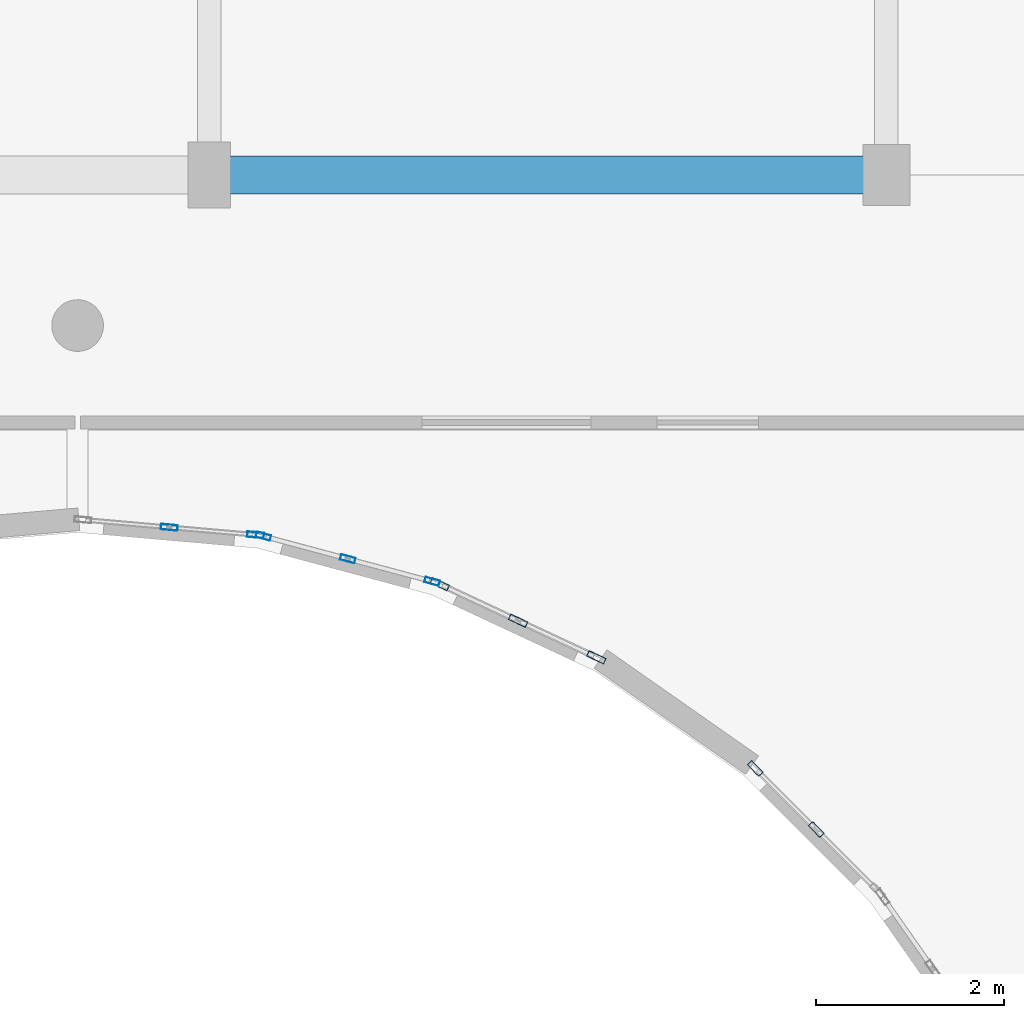
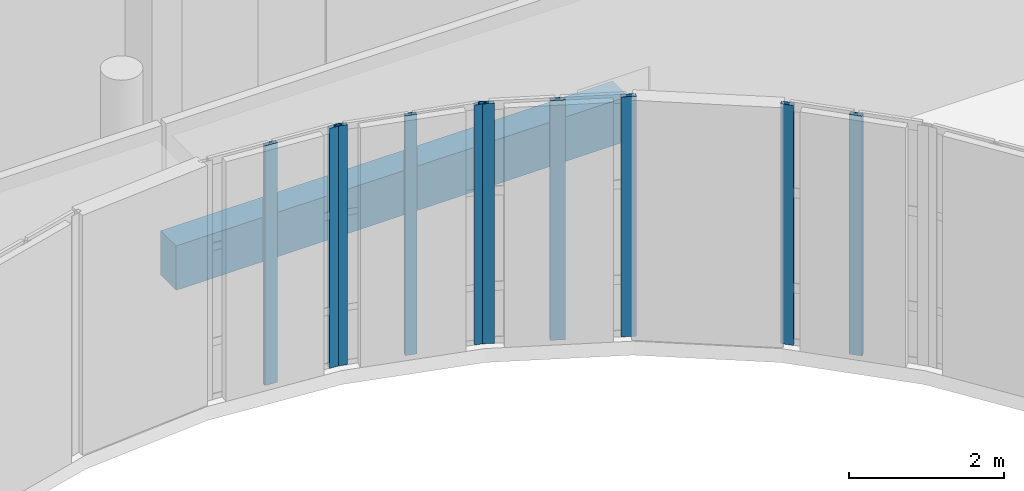
# One storey, part 44 of 105: 10 members, 1 beam, 4 elements without a shape of their own.
"""IFC4 building model written with IfcOpenShell, lengths in metres."""

from ifc_helpers import new_model, si_unit, direction, frame, origin, origin_2d, place, context, subcontext, project, spatial, rectangle, hollow_rectangle, extrude, material, layer, layer_set, material_profile, profile_set, type_object, element, aggregate, save


model = new_model("IFC4")

# Units and contexts
model_context = context("Model", 3, precision=1e-05, world=origin(), true_north=direction((0.0, 1.0)))
body_context = subcontext(model_context, "Body", "Model", "MODEL_VIEW")
ifc_project = project(units=[si_unit("LENGTHUNIT", "METRE"), si_unit("AREAUNIT", "SQUARE_METRE"), si_unit("VOLUMEUNIT", "CUBIC_METRE"), si_unit("PLANEANGLEUNIT", "RADIAN"), si_unit("MASSUNIT", "GRAM", prefix="KILO")], contexts=[model_context])

# Site, building, storey
site_placement = place(None, origin())
site = spatial("IfcSite", under=ifc_project, at=site_placement, CompositionType="ELEMENT")
building_placement = place(site_placement, origin())
building = spatial("IfcBuilding", under=site, at=building_placement, Name="Kelanivale Promenade Academy", CompositionType="ELEMENT")
storey_placement = place(building_placement, frame((0.0, 0.0, 4.199951171875)))
storey = spatial("IfcBuildingStorey", under=building, at=storey_placement, Name="L01", CompositionType="ELEMENT", Elevation=4.199951171875)

# Beam
ifc_material_1 = material(Name="Concrete C35/45", Category="concrete")
ifc_material_profile_1 = material_profile(ifc_material_1, rectangle(XDim=0.39990234375, YDim=0.699951171875, at=origin_2d()), Name="RC-BM 400x700")
ifc_profile_set_1 = profile_set([ifc_material_profile_1], Name="Concrete C35/45")
beam_type = type_object("IfcBeamType", Name="BM-02 RC-BM 400x700", PredefinedType="BEAM", material=ifc_profile_set_1)
beam_placement = place(storey_placement, frame((65.02001953125, 71.60009765625, -0.570068359375), z_axis=(1.0, 0.0, 0.0), x_axis=(0.0, 1.0, 0.0)))
element("IfcBeam", 1, at=beam_placement, inside=storey, type_object=beam_type, Name="L01 girder BM-02", PredefinedType="BEAM", context=body_context, shape_type="SweptSolid", body=[
    extrude(rectangle(XDim=0.39990234375, YDim=0.699951171875, at=origin_2d()), origin(), (0.0, 0.0, 1.0), 6.73486328125),
])

# Curtain wall, members
ifc_material_2 = material(Name="Bronze anodised aluminium and solar-control low-E glass", Category="aluminium")
ifc_layer_1 = layer(ifc_material_2, 0.159912109375)
ifc_layer_set_1 = layer_set([ifc_layer_1], Name="Bronze anodised aluminium and solar-control low-E glass")
curtain_wall_type_1 = type_object("IfcCurtainWallType", Name="CW-09 Curtain Wall 1650mm Module", PredefinedType="USERDEFINED", material=ifc_layer_set_1)
curtain_wall_1_placement = place(storey_placement, origin())
curtain_wall_1 = element("IfcCurtainWall", 2, at=curtain_wall_1_placement, inside=storey, type_object=curtain_wall_type_1, Name="L01 courtyard curtain wall CW-09", ObjectType="UNITISED GLAZING", PredefinedType="USERDEFINED")
ifc_material_3 = material(Name="Bronze anodised aluminium EN AW-6063 T6", Category="aluminium")
ifc_material_profile_2 = material_profile(ifc_material_3, hollow_rectangle(XDim=0.06005859375, YDim=0.159912109375, WallThickness=0.00390625, at=origin_2d()), Name="ALU 60x160x4.0")
ifc_profile_set_2 = profile_set([ifc_material_profile_2], Name="Bronze anodised aluminium EN AW-6063 T6")
member_type_1 = type_object("IfcMemberType", Name="CWM-01 ALU 60x160x4.0", PredefinedType="MULLION", material=ifc_profile_set_2)
member_1_placement = place(storey_placement, frame((67.1689453125, 67.27978515625, 0.0), z_axis=(0.0, 0.0, 1.0), x_axis=(-0.258701323721, -0.96595736195, 0.0)))
member_1 = element("IfcMember", 3, at=member_1_placement, type_object=member_type_1, Name="CW-09 mullion 1", PredefinedType="MULLION", context=body_context, shape_type="SweptSolid", body=[
    extrude(hollow_rectangle(XDim=0.06005859375, YDim=0.159912109375, WallThickness=0.00390625, at=origin_2d()), origin(), (0.0, 0.0, 1.0), 3.780029296875),
])
member_2_placement = place(storey_placement, frame((66.27197265625, 67.52001953125, 0.0), z_axis=(0.0, 0.0, 1.0), x_axis=(-0.258701323721, -0.96595736195, 0.0)))
member_2 = element("IfcMember", 4, at=member_2_placement, type_object=member_type_1, Name="CW-09 mullion 2", PredefinedType="MULLION", context=body_context, shape_type="SweptSolid", body=[
    extrude(hollow_rectangle(XDim=0.06005859375, YDim=0.159912109375, WallThickness=0.00390625, at=origin_2d()), origin(), (0.0, 0.0, 1.0), 3.780029296875),
])
member_3_placement = place(storey_placement, frame((65.375, 67.76025390625, 0.0), z_axis=(0.0, 0.0, 1.0), x_axis=(-0.258701323721, -0.96595736195, 0.0)))
member_3 = element("IfcMember", 5, at=member_3_placement, type_object=member_type_1, Name="CW-09 mullion 3", PredefinedType="MULLION", context=body_context, shape_type="SweptSolid", body=[
    extrude(hollow_rectangle(XDim=0.06005859375, YDim=0.159912109375, WallThickness=0.00390625, at=origin_2d()), origin(), (0.0, 0.0, 1.0), 3.780029296875),
])
aggregate(curtain_wall_1, [member_1, member_2, member_3])

ifc_layer_2 = layer(ifc_material_2, 0.169921875)
ifc_layer_set_2 = layer_set([ifc_layer_2], Name="Bronze anodised aluminium and solar-control low-E glass")
curtain_wall_type_2 = type_object("IfcCurtainWallType", Name="CW-10 Curtain Wall 1800mm Module", PredefinedType="USERDEFINED", material=ifc_layer_set_2)
curtain_wall_2_placement = place(storey_placement, origin())
curtain_wall_2 = element("IfcCurtainWall", 6, at=curtain_wall_2_placement, inside=storey, type_object=curtain_wall_type_2, Name="L01 courtyard curtain wall CW-10", ObjectType="UNITISED GLAZING", PredefinedType="USERDEFINED")
ifc_material_profile_3 = material_profile(ifc_material_3, hollow_rectangle(XDim=0.06005859375, YDim=0.179931640625, WallThickness=0.00390625, at=origin_2d()), Name="ALU 60x180x4.0")
ifc_profile_set_3 = profile_set([ifc_material_profile_3], Name="Bronze anodised aluminium EN AW-6063 T6")
member_type_2 = type_object("IfcMemberType", Name="CWM-02 ALU 60x180x4.0", PredefinedType="MULLION", material=ifc_profile_set_3)
member_4_placement = place(storey_placement, frame((65.292236328125, 67.774658203125, 0.0), z_axis=(0.0, 0.0, 1.0), x_axis=(-0.087264768066, -0.996185153601, 0.0)))
member_4 = element("IfcMember", 7, at=member_4_placement, type_object=member_type_2, Name="CW-10 mullion 1", PredefinedType="MULLION", context=body_context, shape_type="SweptSolid", body=[
    extrude(hollow_rectangle(XDim=0.06005859375, YDim=0.179931640625, WallThickness=0.00390625, at=origin_2d()), origin(), (0.0, 0.0, 1.0), 3.780029296875),
])
member_5_placement = place(storey_placement, frame((64.37451171875, 67.85498046875, 0.0), z_axis=(0.0, 0.0, 1.0), x_axis=(-0.087264768066, -0.996185153601, 0.0)))
member_5 = element("IfcMember", 8, at=member_5_placement, type_object=member_type_2, Name="CW-10 mullion 2", PredefinedType="MULLION", context=body_context, shape_type="SweptSolid", body=[
    extrude(hollow_rectangle(XDim=0.06005859375, YDim=0.179931640625, WallThickness=0.00390625, at=origin_2d()), origin(), (0.0, 0.0, 1.0), 3.780029296875),
])
aggregate(curtain_wall_2, [member_4, member_5])

ifc_layer_3 = layer(ifc_material_2, 0.169921875)
ifc_layer_set_3 = layer_set([ifc_layer_3], Name="Bronze anodised aluminium and solar-control low-E glass")
curtain_wall_type_3 = type_object("IfcCurtainWallType", Name="CW-07 Curtain Wall 1350mm Module", PredefinedType="USERDEFINED", material=ifc_layer_set_3)
curtain_wall_3_placement = place(storey_placement, origin())
curtain_wall_3 = element("IfcCurtainWall", 9, at=curtain_wall_3_placement, inside=storey, type_object=curtain_wall_type_3, Name="L01 courtyard curtain wall CW-07", ObjectType="UNITISED GLAZING", PredefinedType="USERDEFINED")
ifc_material_profile_4 = material_profile(ifc_material_3, hollow_rectangle(XDim=0.06494140625, YDim=0.175048828125, WallThickness=0.00390625, at=origin_2d()), Name="ALU 65x175x4.0")
ifc_profile_set_4 = profile_set([ifc_material_profile_4], Name="Bronze anodised aluminium EN AW-6063 T6")
member_type_3 = type_object("IfcMemberType", Name="CWM-03 ALU 65x175x4.0", PredefinedType="MULLION", material=ifc_profile_set_4)
member_6_placement = place(storey_placement, frame((71.2529296875, 64.64208984375, 0.0), z_axis=(0.0, 0.0, 1.0), x_axis=(-0.707106781187, -0.707106781187, 0.0)))
member_6 = element("IfcMember", 10, at=member_6_placement, type_object=member_type_3, Name="CW-07 mullion 2", PredefinedType="MULLION", context=body_context, shape_type="SweptSolid", body=[
    extrude(hollow_rectangle(XDim=0.06494140625, YDim=0.175048828125, WallThickness=0.00390625, at=origin_2d()), origin(), (0.0, 0.0, 1.0), 3.780029296875),
])
member_7_placement = place(storey_placement, frame((70.60400390625, 65.291015625, 0.0), z_axis=(0.0, 0.0, 1.0), x_axis=(-0.707106781187, -0.707106781187, 0.0)))
member_7 = element("IfcMember", 11, at=member_7_placement, type_object=member_type_3, Name="CW-07 mullion 3", PredefinedType="MULLION", context=body_context, shape_type="SweptSolid", body=[
    extrude(hollow_rectangle(XDim=0.06494140625, YDim=0.175048828125, WallThickness=0.00390625, at=origin_2d()), origin(), (0.0, 0.0, 1.0), 3.780029296875),
])
aggregate(curtain_wall_3, [member_6, member_7])

ifc_layer_4 = layer(ifc_material_2, 0.179931640625)
ifc_layer_set_4 = layer_set([ifc_layer_4], Name="Bronze anodised aluminium and solar-control low-E glass")
curtain_wall_type_4 = type_object("IfcCurtainWallType", Name="CW-08 Curtain Wall 1500mm Module", PredefinedType="USERDEFINED", material=ifc_layer_set_4)
curtain_wall_4_placement = place(storey_placement, origin())
curtain_wall_4 = element("IfcCurtainWall", 12, at=curtain_wall_4_placement, inside=storey, type_object=curtain_wall_type_4, Name="L01 courtyard curtain wall CW-08", ObjectType="UNITISED GLAZING", PredefinedType="USERDEFINED")
ifc_material_profile_5 = material_profile(ifc_material_3, hollow_rectangle(XDim=0.06494140625, YDim=0.199951171875, WallThickness=0.00439453125, at=origin_2d()), Name="ALU 65x200x4.5")
ifc_profile_set_5 = profile_set([ifc_material_profile_5], Name="Bronze anodised aluminium EN AW-6063 T6")
member_type_4 = type_object("IfcMemberType", Name="CWM-04 ALU 65x200x4.5", PredefinedType="MULLION", material=ifc_profile_set_5)
member_8_placement = place(storey_placement, frame((68.91552734375, 66.47265625, 0.0), z_axis=(0.0, 0.0, 1.0), x_axis=(-0.423086860887, -0.906089128146, 0.0)))
member_8 = element("IfcMember", 13, at=member_8_placement, type_object=member_type_4, Name="CW-08 mullion 1", PredefinedType="MULLION", context=body_context, shape_type="SweptSolid", body=[
    extrude(hollow_rectangle(XDim=0.06494140625, YDim=0.199951171875, WallThickness=0.00439453125, at=origin_2d()), origin(), (0.0, 0.0, 1.0), 3.780029296875),
])
member_9_placement = place(storey_placement, frame((68.0830078125, 66.861572265625, 0.0), z_axis=(0.0, 0.0, 1.0), x_axis=(-0.423086860887, -0.906089128146, 0.0)))
member_9 = element("IfcMember", 14, at=member_9_placement, type_object=member_type_4, Name="CW-08 mullion 2", PredefinedType="MULLION", context=body_context, shape_type="SweptSolid", body=[
    extrude(hollow_rectangle(XDim=0.06494140625, YDim=0.199951171875, WallThickness=0.00439453125, at=origin_2d()), origin(), (0.0, 0.0, 1.0), 3.780029296875),
])
member_10_placement = place(storey_placement, frame((67.25048828125, 67.250244140625, 0.0), z_axis=(0.0, 0.0, 1.0), x_axis=(-0.423086860887, -0.906089128146, 0.0)))
member_10 = element("IfcMember", 15, at=member_10_placement, type_object=member_type_4, Name="CW-08 mullion 3", PredefinedType="MULLION", context=body_context, shape_type="SweptSolid", body=[
    extrude(hollow_rectangle(XDim=0.06494140625, YDim=0.199951171875, WallThickness=0.00439453125, at=origin_2d()), origin(), (0.0, 0.0, 1.0), 3.780029296875),
])
aggregate(curtain_wall_4, [member_8, member_9, member_10])

save(model, "model.ifc")
